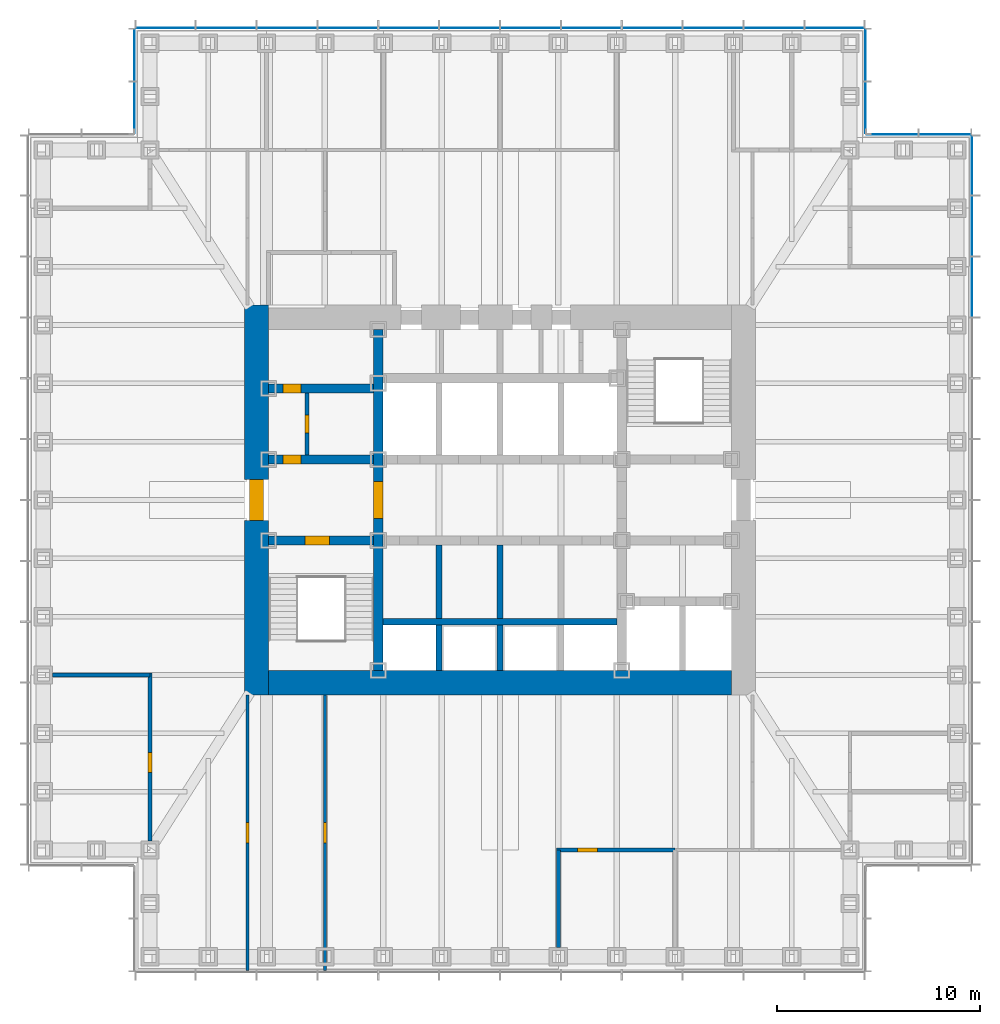
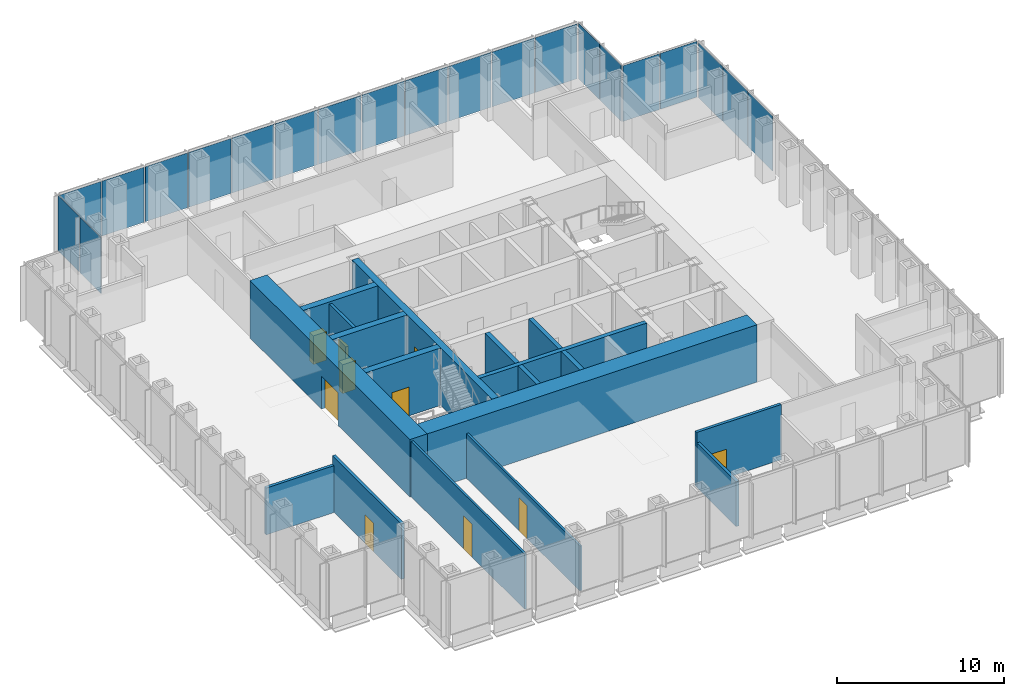
# One storey, part 8 of 17: 21 plates, 18 walls, 10 doors, 10 openings, 5 elements without a shape of their own.
"""IFC4 building model written with IfcOpenShell, lengths in metres."""

from ifc_helpers import new_model, si_unit, direction, frame, frame_2d, origin, origin_2d, place, context, subcontext, project, spatial, rectangle, extrude, material, layer, layer_set, type_object, element, fill, aggregate, save


model = new_model("IFC4")

# Units and contexts
model_context = context("Model", 3, precision=1e-05, world=origin(), true_north=direction((0.0, 1.0)))
body_context = subcontext(model_context, "Body", "Model", "MODEL_VIEW")
ifc_project = project(units=[si_unit("LENGTHUNIT", "METRE"), si_unit("AREAUNIT", "SQUARE_METRE"), si_unit("VOLUMEUNIT", "CUBIC_METRE"), si_unit("PLANEANGLEUNIT", "RADIAN"), si_unit("MASSUNIT", "GRAM", prefix="KILO")], contexts=[model_context])

# Site, building, storey
site_placement = place(None, origin())
site = spatial("IfcSite", under=ifc_project, at=site_placement, CompositionType="ELEMENT")
building_placement = place(site_placement, origin())
building = spatial("IfcBuilding", under=site, at=building_placement, Name="Daluyong Arena Tower", CompositionType="ELEMENT")
storey_placement = place(building_placement, frame((0.0, 0.0, 124.89990234375)))
storey = spatial("IfcBuildingStorey", under=building, at=storey_placement, Name="L27", CompositionType="ELEMENT", Elevation=124.89990234375)

# Curtain wall, plates
ifc_material_1 = material(Name="Bronze anodised aluminium and glass", Category="aluminium")
curtain_wall_type_1 = type_object("IfcCurtainWallType", Name="Curtain wall CW2", PredefinedType="USERDEFINED", material=ifc_material_1)
curtain_wall_1_placement = place(storey_placement, origin())
curtain_wall_1 = element("IfcCurtainWall", 1, at=curtain_wall_1_placement, inside=storey, type_object=curtain_wall_type_1, Name="curtain wall L27 E", ObjectType="UNITISED CURTAIN WALL", PredefinedType="USERDEFINED")
ifc_material_2 = material(Name="Tinted double glazed unit", Category="glass")
ifc_layer_1 = layer(ifc_material_2, 0.031982421875)
ifc_layer_set_1 = layer_set([ifc_layer_1], Name="Tinted double glazed unit")
plate_type_1 = type_object("IfcPlateType", Name="CW2 panel 32", PredefinedType="CURTAIN_PANEL", material=ifc_layer_set_1)
plate_1_placement = place(storey_placement, frame((79.25, 90.5, 0.0), z_axis=(0.0, 0.0, 1.0), x_axis=(0.0, 1.0, 0.0)))
plate_1 = element("IfcPlate", 2, at=plate_1_placement, type_object=plate_type_1, Name="curtain wall L27 E panel 10", PredefinedType="CURTAIN_PANEL", context=body_context, shape_type="SweptSolid", body=[
    extrude(rectangle(XDim=2.919921875, YDim=0.031982421875, at=origin_2d()), origin(), (0.0, 0.0, 1.0), 4.02001953125),
])
plate_2_placement = place(storey_placement, frame((79.25, 93.5, 0.0), z_axis=(0.0, 0.0, 1.0), x_axis=(0.0, 1.0, 0.0)))
plate_2 = element("IfcPlate", 3, at=plate_2_placement, type_object=plate_type_1, Name="curtain wall L27 E panel 11", PredefinedType="CURTAIN_PANEL", context=body_context, shape_type="SweptSolid", body=[
    extrude(rectangle(XDim=2.919921875, YDim=0.031982421875, at=origin_2d()), origin(), (0.0, 0.0, 1.0), 4.02001953125),
])
plate_3_placement = place(storey_placement, frame((79.25, 96.47998046875, 0.0), z_axis=(0.0, 0.0, 1.0), x_axis=(0.0, 1.0, 0.0)))
plate_3 = element("IfcPlate", 4, at=plate_3_placement, type_object=plate_type_1, Name="curtain wall L27 E panel 12", PredefinedType="CURTAIN_PANEL", context=body_context, shape_type="SweptSolid", body=[
    extrude(rectangle(XDim=2.8798828125, YDim=0.031982421875, at=origin_2d()), origin(), (0.0, 0.0, 1.0), 4.02001953125),
])
aggregate(curtain_wall_1, [plate_1, plate_2, plate_3])

curtain_wall_2_placement = place(storey_placement, origin())
curtain_wall_2 = element("IfcCurtainWall", 5, at=curtain_wall_2_placement, inside=storey, type_object=curtain_wall_type_1, Name="curtain wall L27 N", ObjectType="UNITISED CURTAIN WALL", PredefinedType="USERDEFINED")
plate_4_placement = place(storey_placement, frame((72.47998046875, 103.25, 0.0), z_axis=(0.0, 0.0, 1.0), x_axis=(-1.0, 0.0, 0.0)))
plate_4 = element("IfcPlate", 6, at=plate_4_placement, type_object=plate_type_1, Name="curtain wall L27 N panel 1", PredefinedType="CURTAIN_PANEL", context=body_context, shape_type="SweptSolid", body=[
    extrude(rectangle(XDim=2.8798828125, YDim=0.031982421875, at=origin_2d()), origin(), (0.0, 0.0, 1.0), 4.02001953125),
])
plate_5_placement = place(storey_placement, frame((69.5, 103.25, 0.0), z_axis=(0.0, 0.0, 1.0), x_axis=(-1.0, 0.0, 0.0)))
plate_5 = element("IfcPlate", 7, at=plate_5_placement, type_object=plate_type_1, Name="curtain wall L27 N panel 2", PredefinedType="CURTAIN_PANEL", context=body_context, shape_type="SweptSolid", body=[
    extrude(rectangle(XDim=2.919921875, YDim=0.031982421875, at=origin_2d()), origin(), (0.0, 0.0, 1.0), 4.02001953125),
])
plate_6_placement = place(storey_placement, frame((66.5, 103.25, 0.0), z_axis=(0.0, 0.0, 1.0), x_axis=(-1.0, 0.0, 0.0)))
plate_6 = element("IfcPlate", 8, at=plate_6_placement, type_object=plate_type_1, Name="curtain wall L27 N panel 3", PredefinedType="CURTAIN_PANEL", context=body_context, shape_type="SweptSolid", body=[
    extrude(rectangle(XDim=2.919921875, YDim=0.031982421875, at=origin_2d()), origin(), (0.0, 0.0, 1.0), 4.02001953125),
])
plate_7_placement = place(storey_placement, frame((63.5, 103.25, 0.0), z_axis=(0.0, 0.0, 1.0), x_axis=(-1.0, 0.0, 0.0)))
plate_7 = element("IfcPlate", 9, at=plate_7_placement, type_object=plate_type_1, Name="curtain wall L27 N panel 4", PredefinedType="CURTAIN_PANEL", context=body_context, shape_type="SweptSolid", body=[
    extrude(rectangle(XDim=2.919921875, YDim=0.031982421875, at=origin_2d()), origin(), (0.0, 0.0, 1.0), 4.02001953125),
])
plate_8_placement = place(storey_placement, frame((60.5, 103.25, 0.0), z_axis=(0.0, 0.0, 1.0), x_axis=(-1.0, 0.0, 0.0)))
plate_8 = element("IfcPlate", 10, at=plate_8_placement, type_object=plate_type_1, Name="curtain wall L27 N panel 5", PredefinedType="CURTAIN_PANEL", context=body_context, shape_type="SweptSolid", body=[
    extrude(rectangle(XDim=2.919921875, YDim=0.031982421875, at=origin_2d()), origin(), (0.0, 0.0, 1.0), 4.02001953125),
])
plate_9_placement = place(storey_placement, frame((57.5, 103.25, 0.0), z_axis=(0.0, 0.0, 1.0), x_axis=(-1.0, 0.0, 0.0)))
plate_9 = element("IfcPlate", 11, at=plate_9_placement, type_object=plate_type_1, Name="curtain wall L27 N panel 6", PredefinedType="CURTAIN_PANEL", context=body_context, shape_type="SweptSolid", body=[
    extrude(rectangle(XDim=2.919921875, YDim=0.031982421875, at=origin_2d()), origin(), (0.0, 0.0, 1.0), 4.02001953125),
])
plate_10_placement = place(storey_placement, frame((54.5, 103.25, 0.0), z_axis=(0.0, 0.0, 1.0), x_axis=(-1.0, 0.0, 0.0)))
plate_10 = element("IfcPlate", 12, at=plate_10_placement, type_object=plate_type_1, Name="curtain wall L27 N panel 7", PredefinedType="CURTAIN_PANEL", context=body_context, shape_type="SweptSolid", body=[
    extrude(rectangle(XDim=2.919921875, YDim=0.031982421875, at=origin_2d()), origin(), (0.0, 0.0, 1.0), 4.02001953125),
])
plate_11_placement = place(storey_placement, frame((51.5, 103.25, 0.0), z_axis=(0.0, 0.0, 1.0), x_axis=(-1.0, 0.0, 0.0)))
plate_11 = element("IfcPlate", 13, at=plate_11_placement, type_object=plate_type_1, Name="curtain wall L27 N panel 8", PredefinedType="CURTAIN_PANEL", context=body_context, shape_type="SweptSolid", body=[
    extrude(rectangle(XDim=2.919921875, YDim=0.031982421875, at=origin_2d()), origin(), (0.0, 0.0, 1.0), 4.02001953125),
])
plate_12_placement = place(storey_placement, frame((48.5, 103.25, 0.0), z_axis=(0.0, 0.0, 1.0), x_axis=(-1.0, 0.0, 0.0)))
plate_12 = element("IfcPlate", 14, at=plate_12_placement, type_object=plate_type_1, Name="curtain wall L27 N panel 9", PredefinedType="CURTAIN_PANEL", context=body_context, shape_type="SweptSolid", body=[
    extrude(rectangle(XDim=2.919921875, YDim=0.031982421875, at=origin_2d()), origin(), (0.0, 0.0, 1.0), 4.02001953125),
])
plate_13_placement = place(storey_placement, frame((45.5, 103.25, 0.0), z_axis=(0.0, 0.0, 1.0), x_axis=(-1.0, 0.0, 0.0)))
plate_13 = element("IfcPlate", 15, at=plate_13_placement, type_object=plate_type_1, Name="curtain wall L27 N panel 10", PredefinedType="CURTAIN_PANEL", context=body_context, shape_type="SweptSolid", body=[
    extrude(rectangle(XDim=2.919921875, YDim=0.031982421875, at=origin_2d()), origin(), (0.0, 0.0, 1.0), 4.02001953125),
])
plate_14_placement = place(storey_placement, frame((42.5, 103.25, 0.0), z_axis=(0.0, 0.0, 1.0), x_axis=(-1.0, 0.0, 0.0)))
plate_14 = element("IfcPlate", 16, at=plate_14_placement, type_object=plate_type_1, Name="curtain wall L27 N panel 11", PredefinedType="CURTAIN_PANEL", context=body_context, shape_type="SweptSolid", body=[
    extrude(rectangle(XDim=2.919921875, YDim=0.031982421875, at=origin_2d()), origin(), (0.0, 0.0, 1.0), 4.02001953125),
])
plate_15_placement = place(storey_placement, frame((39.52001953125, 103.25, 0.0), z_axis=(0.0, 0.0, 1.0), x_axis=(-1.0, 0.0, 0.0)))
plate_15 = element("IfcPlate", 17, at=plate_15_placement, type_object=plate_type_1, Name="curtain wall L27 N panel 12", PredefinedType="CURTAIN_PANEL", context=body_context, shape_type="SweptSolid", body=[
    extrude(rectangle(XDim=2.8798828125, YDim=0.031982421875, at=origin_2d()), origin(), (0.0, 0.0, 1.0), 4.02001953125),
])
aggregate(curtain_wall_2, [plate_4, plate_5, plate_6, plate_7, plate_8, plate_9, plate_10, plate_11, plate_12, plate_13, plate_14, plate_15])

ifc_material_3 = material(Name="Bronze anodised aluminium and glass", Category="aluminium")
curtain_wall_type_2 = type_object("IfcCurtainWallType", Name="Curtain wall CW7", PredefinedType="USERDEFINED", material=ifc_material_3)
curtain_wall_3_placement = place(storey_placement, origin())
curtain_wall_3 = element("IfcCurtainWall", 18, at=curtain_wall_3_placement, inside=storey, type_object=curtain_wall_type_2, Name="curtain wall L27 NE-N", ObjectType="UNITISED CURTAIN WALL", PredefinedType="USERDEFINED")
ifc_material_4 = material(Name="Tinted double glazed unit", Category="glass")
ifc_layer_2 = layer(ifc_material_4, 0.028076171875)
ifc_layer_set_2 = layer_set([ifc_layer_2], Name="Tinted double glazed unit")
plate_type_2 = type_object("IfcPlateType", Name="CW7 panel 28", PredefinedType="CURTAIN_PANEL", material=ifc_layer_set_2)
plate_16_placement = place(storey_placement, frame((77.922607421875, 98.0, 0.0), z_axis=(0.0, 0.0, 1.0), x_axis=(-1.0, 0.0, 0.0)))
plate_16 = element("IfcPlate", 19, at=plate_16_placement, type_object=plate_type_2, Name="curtain wall L27 NE-N panel 1", PredefinedType="CURTAIN_PANEL", context=body_context, shape_type="SweptSolid", body=[
    extrude(rectangle(XDim=2.534912109375, YDim=0.028076171875, at=origin_2d()), origin(), (0.0, 0.0, 1.0), 4.080078125),
])
plate_17_placement = place(storey_placement, frame((75.327392578125, 98.0, 0.0), z_axis=(0.0, 0.0, 1.0), x_axis=(-1.0, 0.0, 0.0)))
plate_17 = element("IfcPlate", 20, at=plate_17_placement, type_object=plate_type_2, Name="curtain wall L27 NE-N panel 2", PredefinedType="CURTAIN_PANEL", context=body_context, shape_type="SweptSolid", body=[
    extrude(rectangle(XDim=2.534912109375, YDim=0.028076171875, at=origin_2d()), origin(), (0.0, 0.0, 1.0), 4.080078125),
])
aggregate(curtain_wall_3, [plate_16, plate_17])

curtain_wall_4_placement = place(storey_placement, origin())
curtain_wall_4 = element("IfcCurtainWall", 21, at=curtain_wall_4_placement, inside=storey, type_object=curtain_wall_type_2, Name="curtain wall L27 NE-E", ObjectType="UNITISED CURTAIN WALL", PredefinedType="USERDEFINED")
plate_18_placement = place(storey_placement, frame((74.0, 99.327392578125, 0.0), z_axis=(0.0, 0.0, 1.0), x_axis=(0.0, 1.0, 0.0)))
plate_18 = element("IfcPlate", 22, at=plate_18_placement, type_object=plate_type_2, Name="curtain wall L27 NE-E panel 1", PredefinedType="CURTAIN_PANEL", context=body_context, shape_type="SweptSolid", body=[
    extrude(rectangle(XDim=2.534912109375, YDim=0.028076171875, at=origin_2d()), origin(), (0.0, 0.0, 1.0), 4.080078125),
])
plate_19_placement = place(storey_placement, frame((74.0, 101.922607421875, 0.0), z_axis=(0.0, 0.0, 1.0), x_axis=(0.0, 1.0, 0.0)))
plate_19 = element("IfcPlate", 23, at=plate_19_placement, type_object=plate_type_2, Name="curtain wall L27 NE-E panel 2", PredefinedType="CURTAIN_PANEL", context=body_context, shape_type="SweptSolid", body=[
    extrude(rectangle(XDim=2.534912109375, YDim=0.028076171875, at=origin_2d()), origin(), (0.0, 0.0, 1.0), 4.080078125),
])
aggregate(curtain_wall_4, [plate_18, plate_19])

curtain_wall_5_placement = place(storey_placement, origin())
curtain_wall_5 = element("IfcCurtainWall", 24, at=curtain_wall_5_placement, inside=storey, type_object=curtain_wall_type_2, Name="curtain wall L27 NW-W", ObjectType="UNITISED CURTAIN WALL", PredefinedType="USERDEFINED")
plate_20_placement = place(storey_placement, frame((38.0, 101.922607421875, 0.0), z_axis=(0.0, 0.0, 1.0), x_axis=(0.0, -1.0, 0.0)))
plate_20 = element("IfcPlate", 25, at=plate_20_placement, type_object=plate_type_2, Name="curtain wall L27 NW-W panel 1", PredefinedType="CURTAIN_PANEL", context=body_context, shape_type="SweptSolid", body=[
    extrude(rectangle(XDim=2.534912109375, YDim=0.028076171875, at=origin_2d()), origin(), (0.0, 0.0, 1.0), 4.080078125),
])
plate_21_placement = place(storey_placement, frame((38.0, 99.327392578125, 0.0), z_axis=(0.0, 0.0, 1.0), x_axis=(0.0, -1.0, 0.0)))
plate_21 = element("IfcPlate", 26, at=plate_21_placement, type_object=plate_type_2, Name="curtain wall L27 NW-W panel 2", PredefinedType="CURTAIN_PANEL", context=body_context, shape_type="SweptSolid", body=[
    extrude(rectangle(XDim=2.534912109375, YDim=0.028076171875, at=origin_2d()), origin(), (0.0, 0.0, 1.0), 4.080078125),
])
aggregate(curtain_wall_5, [plate_20, plate_21])

# Wall, opening, door
ifc_material_5 = material(Name="Concrete fc' 45 MPa", Category="concrete")
ifc_layer_3 = layer(ifc_material_5, 0.449951171875)
ifc_layer_set_3 = layer_set([ifc_layer_3], Name="Concrete fc' 45 MPa")
wall_type_1 = type_object("IfcWallType", Name="Core inner wall 450", PredefinedType="SHEAR", material=ifc_layer_set_3)
wall_1_placement = place(storey_placement, frame((50.0, 71.60009765625, 0.0), z_axis=(0.0, 0.0, 1.0), x_axis=(0.0, 1.0, 0.0)))
wall_1 = element("IfcWall", 27, at=wall_1_placement, inside=storey, type_object=wall_type_1, Name="core inner wall at L27", PredefinedType="SHEAR", context=body_context, shape_type="SweptSolid", body=[
    extrude(rectangle(XDim=16.7998046875, YDim=0.449951171875, at=frame_2d((8.39990234375, 0.0))), origin(), (0.0, 0.0, 1.0), 4.2001953125),
])
opening_1_placement = place(wall_1_placement, frame((7.5, 0.0, 0.0)))
opening_1 = element("IfcOpeningElement", 28, at=opening_1_placement, cuts=wall_1, Name="Opening 27017", PredefinedType="OPENING", context=body_context, shape_type="SweptSolid", body=[
    extrude(rectangle(XDim=1.800048828125, YDim=2.39990234375, at=frame_2d((0.89990234375, 1.199951171875))), frame((0.0, 0.23486328125, 0.0), z_axis=(0.0, -1.0, 0.0), x_axis=(1.0, 0.0, 0.0)), (0.0, 0.0, 1.0), 0.469970703125),
])
ifc_material_6 = material(Name="Steel door, fire rated", Category="steel")
door_type_1 = type_object("IfcDoorType", Name="Lift lobby opening door 1800", OperationType="DOUBLE_DOOR_SINGLE_SWING", PredefinedType="DOOR", material=ifc_material_6)
door_1_placement = place(opening_1_placement, origin())
door_1 = element("IfcDoor", 29, at=door_1_placement, inside=storey, type_object=door_type_1, Name="lift lobby door west 27017", OperationType="DOUBLE_DOOR_SINGLE_SWING", OverallHeight=2.39990234375, OverallWidth=1.800048828125, PredefinedType="DOOR", context=body_context, shape_type="SweptSolid", body=[
    extrude(rectangle(XDim=1.800048828125, YDim=2.39990234375, at=frame_2d((0.89990234375, 1.199951171875))), frame((0.0, 0.224609375, 0.0), z_axis=(0.0, -1.0, 0.0), x_axis=(1.0, 0.0, 0.0)), (0.0, 0.0, 1.0), 0.449462890625),
])
fill(opening_1, door_1)

wall_2_placement = place(storey_placement, frame((44.60009765625, 78.0, 0.0), z_axis=(0.0, 0.0, 1.0), x_axis=(1.0, 0.0, 0.0)))
wall_2 = element("IfcWall", 30, at=wall_2_placement, inside=storey, type_object=wall_type_1, Name="core inner wall at L27", PredefinedType="SHEAR", context=body_context, shape_type="SweptSolid", body=[
    extrude(rectangle(XDim=5.1748046875, YDim=0.449951171875, at=frame_2d((2.58740234375, 0.0))), origin(), (0.0, 0.0, 1.0), 4.2001953125),
])
opening_2_placement = place(wall_2_placement, frame((1.800048828125, 0.0, 0.0)))
opening_2 = element("IfcOpeningElement", 31, at=opening_2_placement, cuts=wall_2, Name="Opening 27013", PredefinedType="OPENING", context=body_context, shape_type="SweptSolid", body=[
    extrude(rectangle(XDim=1.199951171875, YDim=2.10009765625, at=frame_2d((0.60009765625, 1.050048828125))), frame((0.0, 0.23486328125, 0.0), z_axis=(0.0, -1.0, 0.0), x_axis=(1.0, 0.0, 0.0)), (0.0, 0.0, 1.0), 0.469970703125),
])
ifc_material_7 = material(Name="Steel door, fire rated", Category="steel")
door_type_2 = type_object("IfcDoorType", Name="Stair door 1200", OperationType="SINGLE_SWING_LEFT", PredefinedType="DOOR", material=ifc_material_7)
door_2_placement = place(opening_2_placement, origin())
door_2 = element("IfcDoor", 32, at=door_2_placement, inside=storey, type_object=door_type_2, Name="stair A door 27013", OperationType="SINGLE_SWING_LEFT", OverallHeight=2.10009765625, OverallWidth=1.199951171875, PredefinedType="DOOR", context=body_context, shape_type="SweptSolid", body=[
    extrude(rectangle(XDim=1.199951171875, YDim=2.10009765625, at=frame_2d((0.60009765625, 1.050048828125))), frame((0.0, 0.224609375, 0.0), z_axis=(0.0, -1.0, 0.0), x_axis=(1.0, 0.0, 0.0)), (0.0, 0.0, 1.0), 0.449462890625),
])
fill(opening_2, door_2)

wall_3_placement = place(storey_placement, frame((44.60009765625, 82.0, 0.0), z_axis=(0.0, 0.0, 1.0), x_axis=(1.0, 0.0, 0.0)))
wall_3 = element("IfcWall", 33, at=wall_3_placement, inside=storey, type_object=wall_type_1, Name="core inner wall at L27", PredefinedType="SHEAR", context=body_context, shape_type="SweptSolid", body=[
    extrude(rectangle(XDim=5.1748046875, YDim=0.449951171875, at=frame_2d((2.58740234375, 0.0))), origin(), (0.0, 0.0, 1.0), 4.2001953125),
])
opening_3_placement = place(wall_3_placement, frame((0.699951171875, 0.0, 0.0)))
opening_3 = element("IfcOpeningElement", 34, at=opening_3_placement, cuts=wall_3, Name="Opening 27001", PredefinedType="OPENING", context=body_context, shape_type="SweptSolid", body=[
    extrude(rectangle(XDim=0.89990234375, YDim=2.10009765625, at=frame_2d((0.449951171875, 1.050048828125))), frame((0.0, 0.23486328125, 0.0), z_axis=(0.0, -1.0, 0.0), x_axis=(1.0, 0.0, 0.0)), (0.0, 0.0, 1.0), 0.469970703125),
])
ifc_material_8 = material(Name="Steel door, fire rated", Category="steel")
door_type_3 = type_object("IfcDoorType", Name="Core room door 900", OperationType="SINGLE_SWING_LEFT", PredefinedType="DOOR", material=ifc_material_8)
door_3_placement = place(opening_3_placement, origin())
door_3 = element("IfcDoor", 35, at=door_3_placement, inside=storey, type_object=door_type_3, Name="toilet lobby door 27001", OperationType="SINGLE_SWING_LEFT", OverallHeight=2.10009765625, OverallWidth=0.89990234375, PredefinedType="DOOR", context=body_context, shape_type="SweptSolid", body=[
    extrude(rectangle(XDim=0.89990234375, YDim=2.10009765625, at=frame_2d((0.449951171875, 1.050048828125))), frame((0.0, 0.224609375, 0.0), z_axis=(0.0, -1.0, 0.0), x_axis=(1.0, 0.0, 0.0)), (0.0, 0.0, 1.0), 0.449462890625),
])
fill(opening_3, door_3)

wall_4_placement = place(storey_placement, frame((44.60009765625, 85.5, 0.0), z_axis=(0.0, 0.0, 1.0), x_axis=(1.0, 0.0, 0.0)))
wall_4 = element("IfcWall", 36, at=wall_4_placement, inside=storey, type_object=wall_type_1, Name="core inner wall at L27", PredefinedType="SHEAR", context=body_context, shape_type="SweptSolid", body=[
    extrude(rectangle(XDim=5.1748046875, YDim=0.449951171875, at=frame_2d((2.58740234375, 0.0))), origin(), (0.0, 0.0, 1.0), 4.2001953125),
])
opening_4_placement = place(wall_4_placement, frame((0.699951171875, 0.0, 0.0)))
opening_4 = element("IfcOpeningElement", 37, at=opening_4_placement, cuts=wall_4, Name="Opening 27003", PredefinedType="OPENING", context=body_context, shape_type="SweptSolid", body=[
    extrude(rectangle(XDim=0.89990234375, YDim=2.10009765625, at=frame_2d((0.449951171875, 1.050048828125))), frame((0.0, 0.23486328125, 0.0), z_axis=(0.0, -1.0, 0.0), x_axis=(1.0, 0.0, 0.0)), (0.0, 0.0, 1.0), 0.469970703125),
])
ifc_material_9 = material(Name="Timber door", Category="wood")
door_type_4 = type_object("IfcDoorType", Name="Toilet door 900", OperationType="SINGLE_SWING_RIGHT", PredefinedType="DOOR", material=ifc_material_9)
door_4_placement = place(opening_4_placement, origin())
door_4 = element("IfcDoor", 38, at=door_4_placement, inside=storey, type_object=door_type_4, Name="female toilet door 27003", OperationType="SINGLE_SWING_RIGHT", OverallHeight=2.10009765625, OverallWidth=0.89990234375, PredefinedType="DOOR", context=body_context, shape_type="SweptSolid", body=[
    extrude(rectangle(XDim=0.89990234375, YDim=2.10009765625, at=frame_2d((0.449951171875, 1.050048828125))), frame((0.0, 0.224609375, 0.0), z_axis=(0.0, -1.0, 0.0), x_axis=(1.0, 0.0, 0.0)), (0.0, 0.0, 1.0), 0.449462890625),
])
fill(opening_4, door_4)

ifc_material_10 = material(Name="Concrete fc' 60 MPa", Category="concrete")
ifc_layer_4 = layer(ifc_material_10, 1.199951171875)
ifc_layer_set_4 = layer_set([ifc_layer_4], Name="Concrete fc' 60 MPa")
wall_type_2 = type_object("IfcWallType", Name="Core wall 1200", PredefinedType="SHEAR", material=ifc_layer_set_4)
wall_5_placement = place(storey_placement, frame((44.0, 70.39990234375, 0.0), z_axis=(0.0, 0.0, 1.0), x_axis=(0.0, 1.0, 0.0)))
wall_5 = element("IfcWall", 39, at=wall_5_placement, inside=storey, type_object=wall_type_2, Name="core wall at L27", PredefinedType="SHEAR", context=body_context, shape_type="SweptSolid", body=[
    extrude(rectangle(XDim=19.2001953125, YDim=1.199951171875, at=frame_2d((9.60009765625, 0.0))), origin(), (0.0, 0.0, 1.0), 4.2001953125),
])
opening_5_placement = place(wall_5_placement, frame((8.60009765625, 0.0, 0.0)))
opening_5 = element("IfcOpeningElement", 40, at=opening_5_placement, cuts=wall_5, Name="Opening 27015", PredefinedType="OPENING", context=body_context, shape_type="SweptSolid", body=[
    extrude(rectangle(XDim=2.0, YDim=2.39990234375, at=frame_2d((1.0, 1.199951171875))), frame((0.0, 0.60986328125, 0.0), z_axis=(0.0, -1.0, 0.0), x_axis=(1.0, 0.0, 0.0)), (0.0, 0.0, 1.0), 1.219970703125),
])
ifc_material_11 = material(Name="Steel door, fire rated", Category="steel")
door_type_5 = type_object("IfcDoorType", Name="Core lobby double door 2000", OperationType="DOUBLE_DOOR_SINGLE_SWING", PredefinedType="DOOR", material=ifc_material_11)
door_5_placement = place(opening_5_placement, origin())
door_5 = element("IfcDoor", 41, at=door_5_placement, inside=storey, type_object=door_type_5, Name="core lobby door west 27015", OperationType="DOUBLE_DOOR_SINGLE_SWING", OverallHeight=2.39990234375, OverallWidth=2.0, PredefinedType="DOOR", context=body_context, shape_type="SweptSolid", body=[
    extrude(rectangle(XDim=2.0, YDim=2.39990234375, at=frame_2d((1.0, 1.199951171875))), frame((0.0, 0.35009765625, 0.0), z_axis=(0.0, -1.0, 0.0), x_axis=(1.0, 0.0, 0.0)), (0.0, 0.0, 1.0), 0.699951171875),
])
fill(opening_5, door_5)

# Wall
wall_6_placement = place(storey_placement, frame((44.60009765625, 71.0, 0.0), z_axis=(0.0, 0.0, 1.0), x_axis=(1.0, 0.0, 0.0)))
element("IfcWall", 42, at=wall_6_placement, inside=storey, type_object=wall_type_2, Name="core wall at L27", PredefinedType="SHEAR", context=body_context, shape_type="SweptSolid", body=[
    extrude(rectangle(XDim=22.7998046875, YDim=1.199951171875, at=frame_2d((11.39990234375, 0.0))), origin(), (0.0, 0.0, 1.0), 4.2001953125),
])

# Wall, opening, door
ifc_material_12 = material(Name="Concrete block partition, fire rated", Category="concrete")
ifc_layer_5 = layer(ifc_material_12, 0.199951171875)
ifc_layer_set_5 = layer_set([ifc_layer_5], Name="Concrete block partition, fire rated")
wall_type_3 = type_object("IfcWallType", Name="Fire-rated partition 200", PredefinedType="PARTITIONING", material=ifc_layer_set_5)
wall_7_placement = place(storey_placement, frame((46.5, 82.22509765625, 0.0), z_axis=(0.0, 0.0, 1.0), x_axis=(0.0, 1.0, 0.0)))
wall_7 = element("IfcWall", 43, at=wall_7_placement, inside=storey, type_object=wall_type_3, Name="toilet lobby partition at L27", PredefinedType="PARTITIONING", context=body_context, shape_type="SweptSolid", body=[
    extrude(rectangle(XDim=3.0498046875, YDim=0.199951171875, at=frame_2d((1.52490234375, 0.0))), origin(), (0.0, 0.0, 1.0), 4.0400390625),
])
opening_6_placement = place(wall_7_placement, frame((1.074951171875, 0.0, 0.0)))
opening_6 = element("IfcOpeningElement", 44, at=opening_6_placement, cuts=wall_7, Name="Opening 27002", PredefinedType="OPENING", context=body_context, shape_type="SweptSolid", body=[
    extrude(rectangle(XDim=0.89990234375, YDim=2.10009765625, at=frame_2d((0.449951171875, 1.050048828125))), frame((0.0, 0.10986328125, 0.0), z_axis=(0.0, -1.0, 0.0), x_axis=(1.0, 0.0, 0.0)), (0.0, 0.0, 1.0), 0.219970703125),
])
door_6_placement = place(opening_6_placement, origin())
door_6 = element("IfcDoor", 45, at=door_6_placement, inside=storey, type_object=door_type_4, Name="male toilet door 27002", OperationType="SINGLE_SWING_RIGHT", OverallHeight=2.10009765625, OverallWidth=0.89990234375, PredefinedType="DOOR", context=body_context, shape_type="SweptSolid", body=[
    extrude(rectangle(XDim=0.89990234375, YDim=2.10009765625, at=frame_2d((0.449951171875, 1.050048828125))), frame((0.0, 0.099609375, 0.0), z_axis=(0.0, -1.0, 0.0), x_axis=(1.0, 0.0, 0.0)), (0.0, 0.0, 1.0), 0.199462890625),
])
fill(opening_6, door_6)

ifc_material_13 = material(Name="Glazed aluminium partition", Category="aluminium")
ifc_layer_6 = layer(ifc_material_13, 0.14990234375)
ifc_layer_set_6 = layer_set([ifc_layer_6], Name="Glazed aluminium partition")
wall_type_4 = type_object("IfcWallType", Name="Glazed partition 150", PredefinedType="PARTITIONING", material=ifc_layer_set_6)
wall_8_placement = place(storey_placement, frame((43.550048828125, 56.81005859375, 0.0), z_axis=(0.0, 0.0, 1.0), x_axis=(0.0, 1.0, 0.0)))
wall_8 = element("IfcWall", 46, at=wall_8_placement, inside=storey, type_object=wall_type_4, Name="glazed partition at L27", PredefinedType="PARTITIONING", context=body_context, shape_type="SweptSolid", body=[
    extrude(rectangle(XDim=13.58984375, YDim=0.14990234375, at=frame_2d((6.794921875, 0.0))), origin(), (0.0, 0.0, 1.0), 4.0400390625),
])
opening_7_placement = place(wall_8_placement, frame((6.294921875, 0.0, 0.0)))
opening_7 = element("IfcOpeningElement", 47, at=opening_7_placement, cuts=wall_8, Name="Opening 27041", PredefinedType="OPENING", context=body_context, shape_type="SweptSolid", body=[
    extrude(rectangle(XDim=1.0, YDim=2.39990234375, at=frame_2d((0.5, 1.199951171875))), frame((0.0, 0.0849609375, 0.0), z_axis=(0.0, -1.0, 0.0), x_axis=(1.0, 0.0, 0.0)), (0.0, 0.0, 1.0), 0.169921875),
])
ifc_material_14 = material(Name="Glazed aluminium door", Category="aluminium")
door_type_6 = type_object("IfcDoorType", Name="Meeting room glazed door 1000", OperationType="SINGLE_SWING_RIGHT", PredefinedType="DOOR", material=ifc_material_14)
door_7_placement = place(opening_7_placement, origin())
door_7 = element("IfcDoor", 48, at=door_7_placement, inside=storey, type_object=door_type_6, Name="team area screen door 27041", OperationType="SINGLE_SWING_RIGHT", OverallHeight=2.39990234375, OverallWidth=1.0, PredefinedType="DOOR", context=body_context, shape_type="SweptSolid", body=[
    extrude(rectangle(XDim=1.0, YDim=2.39990234375, at=frame_2d((0.5, 1.199951171875))), frame((0.0, 0.07470703125, 0.0), z_axis=(0.0, -1.0, 0.0), x_axis=(1.0, 0.0, 0.0)), (0.0, 0.0, 1.0), 0.1494140625),
])
fill(opening_7, door_7)

wall_9_placement = place(storey_placement, frame((47.375, 56.81005859375, 0.0), z_axis=(0.0, 0.0, 1.0), x_axis=(0.0, 1.0, 0.0)))
wall_9 = element("IfcWall", 49, at=wall_9_placement, inside=storey, type_object=wall_type_4, Name="glazed partition at L27", PredefinedType="PARTITIONING", context=body_context, shape_type="SweptSolid", body=[
    extrude(rectangle(XDim=13.58984375, YDim=0.14990234375, at=frame_2d((6.794921875, 0.0))), origin(), (0.0, 0.0, 1.0), 3.278076171875),
])
opening_8_placement = place(wall_9_placement, frame((6.294921875, 0.0, 0.0)))
opening_8 = element("IfcOpeningElement", 50, at=opening_8_placement, cuts=wall_9, Name="Opening 27045", PredefinedType="OPENING", context=body_context, shape_type="SweptSolid", body=[
    extrude(rectangle(XDim=1.0, YDim=2.39990234375, at=frame_2d((0.5, 1.199951171875))), frame((0.0, 0.0849609375, 0.0), z_axis=(0.0, -1.0, 0.0), x_axis=(1.0, 0.0, 0.0)), (0.0, 0.0, 1.0), 0.169921875),
])
door_8_placement = place(opening_8_placement, origin())
door_8 = element("IfcDoor", 51, at=door_8_placement, inside=storey, type_object=door_type_6, Name="team area screen door 27045", OperationType="SINGLE_SWING_RIGHT", OverallHeight=2.39990234375, OverallWidth=1.0, PredefinedType="DOOR", context=body_context, shape_type="SweptSolid", body=[
    extrude(rectangle(XDim=1.0, YDim=2.39990234375, at=frame_2d((0.5, 1.199951171875))), frame((0.0, 0.07470703125, 0.0), z_axis=(0.0, -1.0, 0.0), x_axis=(1.0, 0.0, 0.0)), (0.0, 0.0, 1.0), 0.1494140625),
])
fill(opening_8, door_8)

# Walls
ifc_material_15 = material(Name="Concrete fc' 45 MPa", Category="concrete")
ifc_layer_7 = layer(ifc_material_15, 0.300048828125)
ifc_layer_set_7 = layer_set([ifc_layer_7], Name="Concrete fc' 45 MPa")
wall_type_5 = type_object("IfcWallType", Name="Lift shaft wall 300", PredefinedType="SHEAR", material=ifc_layer_set_7)
wall_10_placement = place(storey_placement, frame((50.22509765625, 74.0, 0.0), z_axis=(0.0, 0.0, 1.0), x_axis=(1.0, 0.0, 0.0)))
element("IfcWall", 52, at=wall_10_placement, inside=storey, type_object=wall_type_5, Name="lift shaft wall at L27", PredefinedType="SHEAR", context=body_context, shape_type="SweptSolid", body=[
    extrude(rectangle(XDim=11.5498046875, YDim=0.300048828125, at=frame_2d((5.77490234375, 0.0))), origin(), (0.0, 0.0, 1.0), 4.2001953125),
])
wall_11_placement = place(storey_placement, frame((53.0, 71.60009765625, 0.0), z_axis=(0.0, 0.0, 1.0), x_axis=(0.0, 1.0, 0.0)))
element("IfcWall", 53, at=wall_11_placement, inside=storey, type_object=wall_type_5, Name="lift shaft wall at L27", PredefinedType="SHEAR", context=body_context, shape_type="SweptSolid", body=[
    extrude(rectangle(XDim=2.25, YDim=0.300048828125, at=frame_2d((1.125, 0.0))), origin(), (0.0, 0.0, 1.0), 4.2001953125),
])
wall_12_placement = place(storey_placement, frame((53.0, 74.14990234375, 0.0), z_axis=(0.0, 0.0, 1.0), x_axis=(0.0, 1.0, 0.0)))
element("IfcWall", 54, at=wall_12_placement, inside=storey, type_object=wall_type_5, Name="lift shaft wall at L27", PredefinedType="SHEAR", context=body_context, shape_type="SweptSolid", body=[
    extrude(rectangle(XDim=3.625, YDim=0.300048828125, at=frame_2d((1.8125, 0.0))), origin(), (0.0, 0.0, 1.0), 4.2001953125),
])
wall_13_placement = place(storey_placement, frame((56.0, 71.60009765625, 0.0), z_axis=(0.0, 0.0, 1.0), x_axis=(0.0, 1.0, 0.0)))
element("IfcWall", 55, at=wall_13_placement, inside=storey, type_object=wall_type_5, Name="lift shaft wall at L27", PredefinedType="SHEAR", context=body_context, shape_type="SweptSolid", body=[
    extrude(rectangle(XDim=2.25, YDim=0.300048828125, at=frame_2d((1.125, 0.0))), origin(), (0.0, 0.0, 1.0), 4.2001953125),
])
wall_14_placement = place(storey_placement, frame((56.0, 74.14990234375, 0.0), z_axis=(0.0, 0.0, 1.0), x_axis=(0.0, 1.0, 0.0)))
element("IfcWall", 56, at=wall_14_placement, inside=storey, type_object=wall_type_5, Name="lift shaft wall at L27", PredefinedType="SHEAR", context=body_context, shape_type="SweptSolid", body=[
    extrude(rectangle(XDim=3.625, YDim=0.300048828125, at=frame_2d((1.8125, 0.0))), origin(), (0.0, 0.0, 1.0), 4.2001953125),
])
ifc_material_16 = material(Name="Concrete block partition", Category="concrete")
ifc_layer_8 = layer(ifc_material_16, 0.199951171875)
ifc_layer_set_8 = layer_set([ifc_layer_8], Name="Concrete block partition")
wall_type_6 = type_object("IfcWallType", Name="Partition 200", PredefinedType="PARTITIONING", material=ifc_layer_set_8)
wall_15_placement = place(storey_placement, frame((58.875, 57.949951171875, 0.0), z_axis=(0.0, 0.0, 1.0), x_axis=(0.0, 1.0, 0.0)))
element("IfcWall", 57, at=wall_15_placement, inside=storey, type_object=wall_type_6, Name="partition at L27", PredefinedType="PARTITIONING", context=body_context, shape_type="SweptSolid", body=[
    extrude(rectangle(XDim=4.800048828125, YDim=0.199951171875, at=frame_2d((2.39990234375, 0.0))), origin(), (0.0, 0.0, 1.0), 3.278076171875),
])
wall_16_placement = place(storey_placement, frame((33.949951171875, 71.375, 0.0), z_axis=(0.0, 0.0, 1.0), x_axis=(1.0, 0.0, 0.0)))
element("IfcWall", 58, at=wall_16_placement, inside=storey, type_object=wall_type_6, Name="partition at L27", PredefinedType="PARTITIONING", context=body_context, shape_type="SweptSolid", body=[
    extrude(rectangle(XDim=4.800048828125, YDim=0.199951171875, at=frame_2d((2.39990234375, 0.0))), origin(), (0.0, 0.0, 1.0), 3.427978515625),
])

# Wall, opening, door
wall_17_placement = place(storey_placement, frame((58.77490234375, 62.75, 0.0), z_axis=(0.0, 0.0, 1.0), x_axis=(1.0, 0.0, 0.0)))
wall_17 = element("IfcWall", 59, at=wall_17_placement, inside=storey, type_object=wall_type_6, Name="partition at L27", PredefinedType="PARTITIONING", context=body_context, shape_type="SweptSolid", body=[
    extrude(rectangle(XDim=5.85009765625, YDim=0.199951171875, at=frame_2d((2.925048828125, 0.0))), origin(), (0.0, 0.0, 1.0), 4.0400390625),
])
opening_9_placement = place(wall_17_placement, frame((1.03759765625, 0.0, 0.0)))
opening_9 = element("IfcOpeningElement", 60, at=opening_9_placement, cuts=wall_17, Name="Opening 27026", PredefinedType="OPENING", context=body_context, shape_type="SweptSolid", body=[
    extrude(rectangle(XDim=1.0, YDim=2.10009765625, at=frame_2d((0.5, 1.050048828125))), frame((0.0, 0.10986328125, 0.0), z_axis=(0.0, -1.0, 0.0), x_axis=(1.0, 0.0, 0.0)), (0.0, 0.0, 1.0), 0.219970703125),
])
ifc_material_17 = material(Name="Timber door", Category="wood")
door_type_7 = type_object("IfcDoorType", Name="Room door 1000", OperationType="SINGLE_SWING_LEFT", PredefinedType="DOOR", material=ifc_material_17)
door_9_placement = place(opening_9_placement, origin())
door_9 = element("IfcDoor", 61, at=door_9_placement, inside=storey, type_object=door_type_7, Name="pantry door 27026", OperationType="SINGLE_SWING_LEFT", OverallHeight=2.10009765625, OverallWidth=1.0, PredefinedType="DOOR", context=body_context, shape_type="SweptSolid", body=[
    extrude(rectangle(XDim=1.0, YDim=2.10009765625, at=frame_2d((0.5, 1.050048828125))), frame((0.0, 0.099609375, 0.0), z_axis=(0.0, -1.0, 0.0), x_axis=(1.0, 0.0, 0.0)), (0.0, 0.0, 1.0), 0.199462890625),
])
fill(opening_9, door_9)

wall_18_placement = place(storey_placement, frame((38.75, 63.199951171875, 0.0), z_axis=(0.0, 0.0, 1.0), x_axis=(0.0, 1.0, 0.0)))
wall_18 = element("IfcWall", 62, at=wall_18_placement, inside=storey, type_object=wall_type_6, Name="partition at L27", PredefinedType="PARTITIONING", context=body_context, shape_type="SweptSolid", body=[
    extrude(rectangle(XDim=8.275146484375, YDim=0.199951171875, at=frame_2d((4.1376953125, 0.0))), origin(), (0.0, 0.0, 1.0), 4.0400390625),
])
opening_10_placement = place(wall_18_placement, frame((3.362548828125, 0.0, 0.0)))
opening_10 = element("IfcOpeningElement", 63, at=opening_10_placement, cuts=wall_18, Name="Opening 27038", PredefinedType="OPENING", context=body_context, shape_type="SweptSolid", body=[
    extrude(rectangle(XDim=1.0, YDim=2.10009765625, at=frame_2d((0.5, 1.050048828125))), frame((0.0, 0.10986328125, 0.0), z_axis=(0.0, -1.0, 0.0), x_axis=(1.0, 0.0, 0.0)), (0.0, 0.0, 1.0), 0.219970703125),
])
door_10_placement = place(opening_10_placement, origin())
door_10 = element("IfcDoor", 64, at=door_10_placement, inside=storey, type_object=door_type_7, Name="training room door 27038", OperationType="SINGLE_SWING_LEFT", OverallHeight=2.10009765625, OverallWidth=1.0, PredefinedType="DOOR", context=body_context, shape_type="SweptSolid", body=[
    extrude(rectangle(XDim=1.0, YDim=2.10009765625, at=frame_2d((0.5, 1.050048828125))), frame((0.0, 0.099609375, 0.0), z_axis=(0.0, -1.0, 0.0), x_axis=(1.0, 0.0, 0.0)), (0.0, 0.0, 1.0), 0.199462890625),
])
fill(opening_10, door_10)

save(model, "model.ifc")
